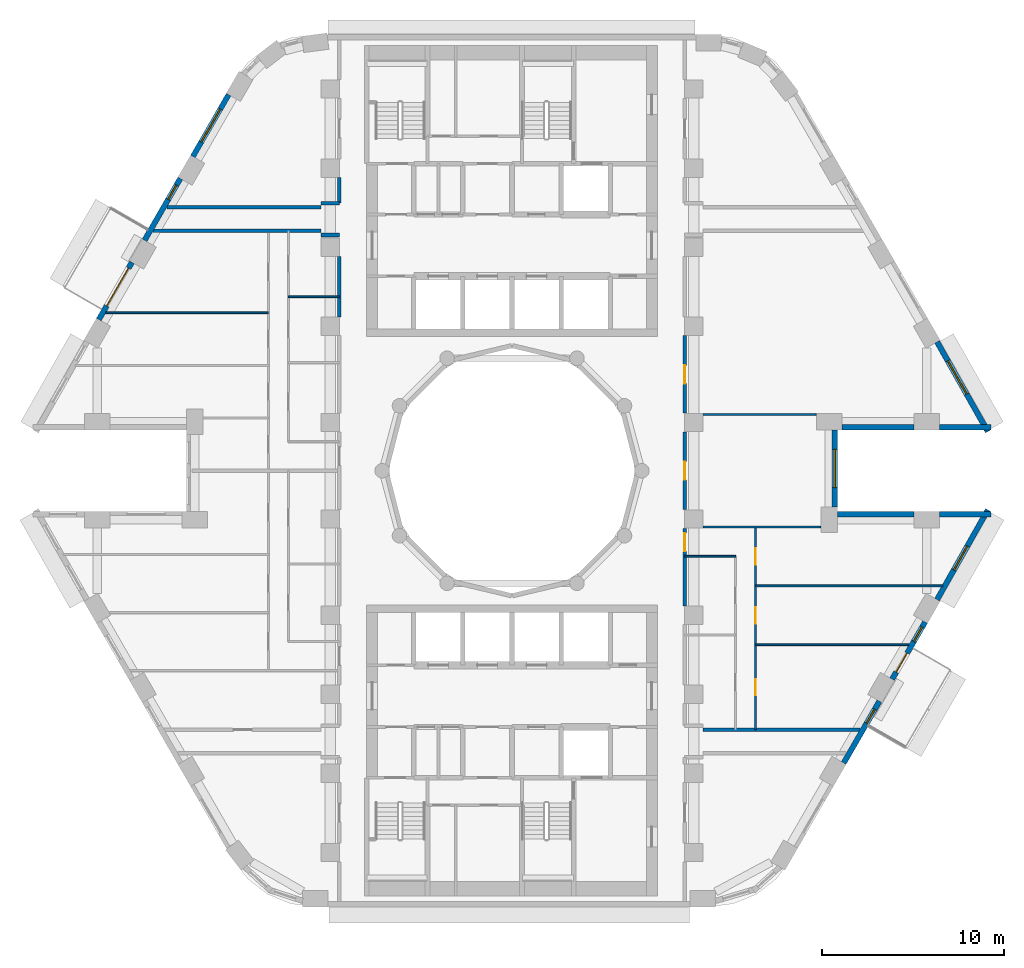
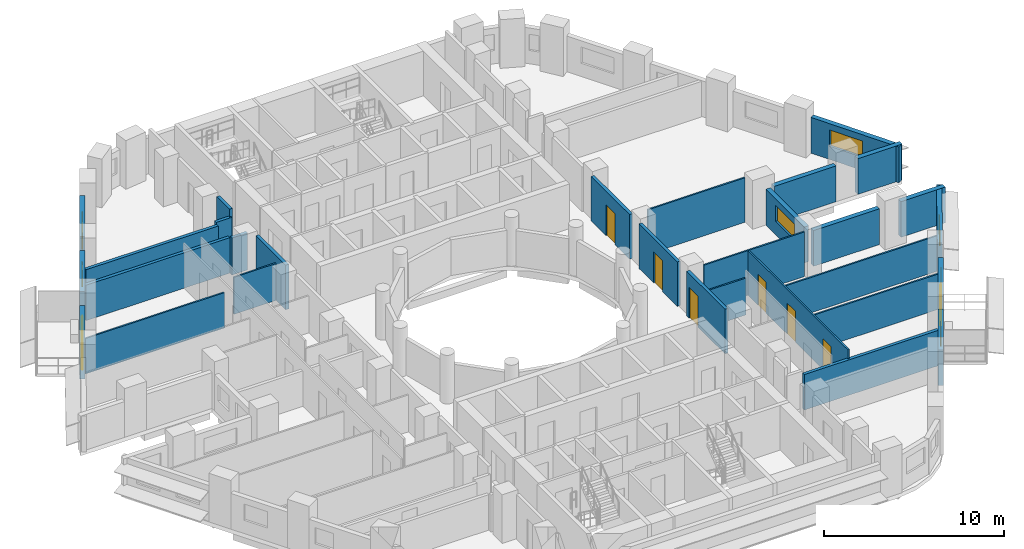
# One storey, part 6 of 14: 30 walls, 8 doors, 7 windows, 15 openings.
"""IFC4 building model written with IfcOpenShell, lengths in metres."""

from ifc_helpers import new_model, si_unit, direction, frame, frame_2d, origin, place, context, subcontext, project, spatial, rectangle, extrude, material, layer, layer_set, type_object, element, fill, save


model = new_model("IFC4")

# Units and contexts
model_context = context("Model", 3, precision=1e-05, world=origin(), true_north=direction((0.0, 1.0)))
body_context = subcontext(model_context, "Body", "Model", "MODEL_VIEW")
ifc_project = project(units=[si_unit("LENGTHUNIT", "METRE"), si_unit("AREAUNIT", "SQUARE_METRE"), si_unit("VOLUMEUNIT", "CUBIC_METRE"), si_unit("PLANEANGLEUNIT", "RADIAN"), si_unit("MASSUNIT", "GRAM", prefix="KILO")], contexts=[model_context])

# Site, building, storey
site_placement = place(None, origin())
site = spatial("IfcSite", under=ifc_project, at=site_placement, CompositionType="ELEMENT")
building_placement = place(site_placement, origin())
building = spatial("IfcBuilding", under=site, at=building_placement, Name="Nakaniwa Court", CompositionType="ELEMENT")
storey_placement = place(building_placement, frame((0.0, 0.0, 107.39990234375)))
storey = spatial("IfcBuildingStorey", under=building, at=storey_placement, Name="L28", CompositionType="ELEMENT", Elevation=107.39990234375)

# Wall, opening, door
ifc_material_1 = material(Name="Acoustic double stud partition")
ifc_layer_1 = layer(ifc_material_1, 0.199951171875)
ifc_layer_set_1 = layer_set([ifc_layer_1], Name="Acoustic double stud partition")
wall_type_1 = type_object("IfcWallType", Name="Acoustic double stud partition 200", PredefinedType="PARTITIONING", material=ifc_layer_set_1)
wall_1_placement = place(storey_placement, frame((89.5, 76.8330078125, 0.0), z_axis=(0.0, 0.0, 1.0), x_axis=(0.0, -1.0, 0.0)))
wall_1 = element("IfcWall", 1, at=wall_1_placement, inside=storey, type_object=wall_type_1, Name="Partition PW-074", PredefinedType="PARTITIONING", context=body_context, shape_type="SweptSolid", body=[
    extrude(rectangle(XDim=4.26611328125, YDim=0.199951171875, at=frame_2d((2.133056640625, 0.0))), origin(), (0.0, 0.0, 1.0), 3.025146484375),
])
opening_1_placement = place(wall_1_placement, frame((0.26806640625, 0.0, 0.0)))
opening_1 = element("IfcOpeningElement", 2, at=opening_1_placement, cuts=wall_1, Name="Opening D-01-01", PredefinedType="OPENING", context=body_context, shape_type="SweptSolid", body=[
    extrude(rectangle(XDim=1.0, YDim=2.10009765625, at=frame_2d((0.5, 1.050048828125))), frame((0.0, 0.10986328125, 0.0), z_axis=(0.0, -1.0, 0.0), x_axis=(1.0, 0.0, 0.0)), (0.0, 0.0, 1.0), 0.219970703125),
])
ifc_material_2 = material(Name="Solid core timber door set, black veneer", Category="wood")
door_type_1 = type_object("IfcDoorType", Name="Flat entrance door 1000", OperationType="NOTDEFINED", PredefinedType="DOOR", material=ifc_material_2)
door_1_placement = place(opening_1_placement, origin())
door_1 = element("IfcDoor", 3, at=door_1_placement, inside=storey, type_object=door_type_1, Name="Door D-01-01 L28-028", OperationType="SINGLE_SWING_LEFT", OverallHeight=2.10009765625, OverallWidth=1.0, PredefinedType="DOOR", context=body_context, shape_type="SweptSolid", body=[
    extrude(rectangle(XDim=1.0, YDim=2.10009765625, at=frame_2d((0.5, 1.050048828125))), frame((0.0, 0.02490234375, 0.0), z_axis=(0.0, -1.0, 0.0), x_axis=(1.0, 0.0, 0.0)), (0.0, 0.0, 1.0), 0.050048828125),
])
fill(opening_1, door_1)

wall_2_placement = place(storey_placement, frame((89.5, 82.133056640625, 0.0), z_axis=(0.0, 0.0, 1.0), x_axis=(0.0, -1.0, 0.0)))
wall_2 = element("IfcWall", 4, at=wall_2_placement, inside=storey, type_object=wall_type_1, Name="Partition PW-075", PredefinedType="PARTITIONING", context=body_context, shape_type="SweptSolid", body=[
    extrude(rectangle(XDim=4.26611328125, YDim=0.199951171875, at=frame_2d((2.133056640625, 0.0))), origin(), (0.0, 0.0, 1.0), 3.025146484375),
])
opening_2_placement = place(wall_2_placement, frame((1.633056640625, 0.0, 0.0)))
opening_2 = element("IfcOpeningElement", 5, at=opening_2_placement, cuts=wall_2, Name="Opening D-02-02", PredefinedType="OPENING", context=body_context, shape_type="SweptSolid", body=[
    extrude(rectangle(XDim=1.0, YDim=2.10009765625, at=frame_2d((0.5, 1.050048828125))), frame((0.0, 0.10986328125, 0.0), z_axis=(0.0, -1.0, 0.0), x_axis=(1.0, 0.0, 0.0)), (0.0, 0.0, 1.0), 0.219970703125),
])
door_type_2 = type_object("IfcDoorType", Name="Internal door 1000", OperationType="NOTDEFINED", PredefinedType="DOOR", material=ifc_material_2)
door_2_placement = place(opening_2_placement, origin())
door_2 = element("IfcDoor", 6, at=door_2_placement, inside=storey, type_object=door_type_2, Name="Door D-02-02 L28-034", OperationType="SINGLE_SWING_LEFT", OverallHeight=2.10009765625, OverallWidth=1.0, PredefinedType="DOOR", context=body_context, shape_type="SweptSolid", body=[
    extrude(rectangle(XDim=1.0, YDim=2.10009765625, at=frame_2d((0.5, 1.050048828125))), frame((0.0, 0.02490234375, 0.0), z_axis=(0.0, -1.0, 0.0), x_axis=(1.0, 0.0, 0.0)), (0.0, 0.0, 1.0), 0.050048828125),
])
fill(opening_2, door_2)

wall_3_placement = place(storey_placement, frame((89.5, 87.43310546875, 0.0), z_axis=(0.0, 0.0, 1.0), x_axis=(0.0, -1.0, 0.0)))
wall_3 = element("IfcWall", 7, at=wall_3_placement, inside=storey, type_object=wall_type_1, Name="Partition PW-076", PredefinedType="PARTITIONING", context=body_context, shape_type="SweptSolid", body=[
    extrude(rectangle(XDim=4.26611328125, YDim=0.199951171875, at=frame_2d((2.133056640625, 0.0))), origin(), (0.0, 0.0, 1.0), 3.025146484375),
])
opening_3_placement = place(wall_3_placement, frame((1.633056640625, 0.0, 0.0)))
opening_3 = element("IfcOpeningElement", 8, at=opening_3_placement, cuts=wall_3, Name="Opening D-02-03", PredefinedType="OPENING", context=body_context, shape_type="SweptSolid", body=[
    extrude(rectangle(XDim=1.0, YDim=2.10009765625, at=frame_2d((0.5, 1.050048828125))), frame((0.0, 0.10986328125, 0.0), z_axis=(0.0, -1.0, 0.0), x_axis=(1.0, 0.0, 0.0)), (0.0, 0.0, 1.0), 0.219970703125),
])
door_3_placement = place(opening_3_placement, origin())
door_3 = element("IfcDoor", 9, at=door_3_placement, inside=storey, type_object=door_type_2, Name="Door D-02-03 L28-035", OperationType="SINGLE_SWING_RIGHT", OverallHeight=2.10009765625, OverallWidth=1.0, PredefinedType="DOOR", context=body_context, shape_type="SweptSolid", body=[
    extrude(rectangle(XDim=1.0, YDim=2.10009765625, at=frame_2d((0.5, 1.050048828125))), frame((0.0, 0.02490234375, 0.0), z_axis=(0.0, -1.0, 0.0), x_axis=(1.0, 0.0, 0.0)), (0.0, 0.0, 1.0), 0.050048828125),
])
fill(opening_3, door_3)

# Walls
wall_4_placement = place(storey_placement, frame((60.254638671875, 93.199951171875, 0.0), z_axis=(0.0, 0.0, 1.0), x_axis=(1.0, 0.0, 0.0)))
element("IfcWall", 10, at=wall_4_placement, inside=storey, type_object=wall_type_1, Name="Partition PW-081", PredefinedType="PARTITIONING", context=body_context, shape_type="SweptSolid", body=[
    extrude(rectangle(XDim=9.245361328125, YDim=0.199951171875, at=frame_2d((4.62255859375, 0.0))), origin(), (0.0, 0.0, 1.0), 2.405029296875),
])
for number, where, z_axis, x_axis, name in (
    (11, (69.5, 92.97509765625, 0.0), (0.0, 0.0, 1.0), (1.0, 0.0, 0.0), "Partition PW-083"),
    (12, (69.5, 94.72509765625, 0.0), (0.0, 0.0, 1.0), (1.0, 0.0, 0.0), "Partition PW-085"),
):
    element("IfcWall", number, at=place(storey_placement, frame(where, z_axis=z_axis, x_axis=x_axis)), inside=storey, type_object=wall_type_1, Name=name, PredefinedType="PARTITIONING", context=body_context, shape_type="SweptSolid", body=[
        extrude(rectangle(XDim=1.0, YDim=0.199951171875, at=frame_2d((0.5, 0.0))), origin(), (0.0, 0.0, 1.0), 2.505126953125),
    ])
wall_5_placement = place(storey_placement, frame((61.005126953125, 94.5, 0.0), z_axis=(0.0, 0.0, 1.0), x_axis=(1.0, 0.0, 0.0)))
element("IfcWall", 13, at=wall_5_placement, inside=storey, type_object=wall_type_1, Name="Partition PW-087", PredefinedType="PARTITIONING", context=body_context, shape_type="SweptSolid", body=[
    extrude(rectangle(XDim=8.494873046875, YDim=0.199951171875, at=frame_2d((4.24755859375, 0.0))), origin(), (0.0, 0.0, 1.0), 2.405029296875),
])
wall_6_placement = place(storey_placement, frame((90.5, 65.75, 0.0), z_axis=(0.0, 0.0, 1.0), x_axis=(1.0, 0.0, 0.0)))
element("IfcWall", 14, at=wall_6_placement, inside=storey, type_object=wall_type_1, Name="Partition PW-096", PredefinedType="PARTITIONING", context=body_context, shape_type="SweptSolid", body=[
    extrude(rectangle(XDim=8.63916015625, YDim=0.199951171875, at=frame_2d((4.319580078125, 0.0))), origin(), (0.0, 0.0, 1.0), 2.405029296875),
])
wall_7_placement = place(storey_placement, frame((70.5, 88.467041015625, 0.0), z_axis=(0.0, 0.0, 1.0), x_axis=(0.0, 1.0, 0.0)))
element("IfcWall", 15, at=wall_7_placement, inside=storey, type_object=wall_type_1, Name="Partition PW-105", PredefinedType="PARTITIONING", context=body_context, shape_type="SweptSolid", body=[
    extrude(rectangle(XDim=3.31591796875, YDim=0.199951171875, at=frame_2d((1.657958984375, 0.0))), origin(), (0.0, 0.0, 1.0), 3.025146484375),
])
wall_8_placement = place(storey_placement, frame((70.5, 94.721923828125, 0.0), z_axis=(0.0, 0.0, 1.0), x_axis=(0.0, 1.0, 0.0)))
element("IfcWall", 16, at=wall_8_placement, inside=storey, type_object=wall_type_1, Name="Partition PW-106", PredefinedType="PARTITIONING", context=body_context, shape_type="SweptSolid", body=[
    extrude(rectangle(XDim=1.4111328125, YDim=0.199951171875, at=frame_2d((0.70556640625, 0.0))), origin(), (0.0, 0.0, 1.0), 3.025146484375),
])
ifc_material_3 = material(Name="Charcoal ceramic cladding")
ifc_layer_2 = layer(ifc_material_3, 0.02, Name="Ceramic cladding")
ifc_material_4 = material(Name="Ventilated air cavity")
ifc_layer_3 = layer(ifc_material_4, 0.04, ventilated=True, Name="Ventilated cavity")
ifc_material_5 = material(Name="Mineral wool insulation")
ifc_layer_4 = layer(ifc_material_5, 0.1, Name="Insulation")
ifc_material_6 = material(Name="Cement bonded sheathing board")
ifc_layer_5 = layer(ifc_material_6, 0.012, Name="Sheathing")
ifc_material_7 = material(Name="Cold-formed galvanised stud frame with mineral wool infill")
ifc_layer_6 = layer(ifc_material_7, 0.1, Name="Stud frame")
ifc_material_8 = material(Name="Fire-rated gypsum plasterboard lining")
ifc_layer_7 = layer(ifc_material_8, 0.028, Name="Lining")
ifc_layer_set_2 = layer_set([ifc_layer_2, ifc_layer_3, ifc_layer_4, ifc_layer_5, ifc_layer_6, ifc_layer_7], Name="Charcoal ceramic faced external wall system")
wall_type_2 = type_object("IfcWallType", Name="Black ceramic faced external wall 300", PredefinedType="SOLIDWALL", material=ifc_layer_set_2)
wall_9_placement = place(storey_placement, frame((98.154296875, 82.39990234375, 0.0), z_axis=(0.0, 0.0, 1.0), x_axis=(1.0, 0.0, 0.0)))
element("IfcWall", 17, at=wall_9_placement, inside=storey, type_object=wall_type_2, Name="L28 external wall 00", PredefinedType="SOLIDWALL", context=body_context, shape_type="SweptSolid", body=[
    extrude(rectangle(XDim=3.97265625, YDim=0.300048828125, at=frame_2d((1.986328125, 0.0))), origin(), (0.0, 0.0, 1.0), 2.425048828125),
])
wall_10_placement = place(storey_placement, frame((103.518798828125, 82.39990234375, 0.0), z_axis=(0.0, 0.0, 1.0), x_axis=(1.0, 0.0, 0.0)))
element("IfcWall", 18, at=wall_10_placement, inside=storey, type_object=wall_type_2, Name="L28 external wall 01", PredefinedType="SOLIDWALL", context=body_context, shape_type="SweptSolid", body=[
    extrude(rectangle(XDim=2.837890625, YDim=0.300048828125, at=frame_2d((1.4189453125, 0.0))), origin(), (0.0, 0.0, 1.0), 2.425048828125),
])

# Wall, opening, window
wall_11_placement = place(storey_placement, frame((106.18603515625, 82.1533203125, 0.0), z_axis=(0.0, 0.0, 1.0), x_axis=(-0.492456858874, 0.870336855561, 0.0)))
wall_11 = element("IfcWall", 19, at=wall_11_placement, inside=storey, type_object=wall_type_2, Name="L28 external wall 02", PredefinedType="SOLIDWALL", context=body_context, shape_type="SweptSolid", body=[
    extrude(rectangle(XDim=5.676513671875, YDim=0.300048828125, at=frame_2d((2.83837890625, 0.0))), origin(), (0.0, 0.0, 1.0), 2.425048828125),
])
opening_4_placement = place(wall_11_placement, frame((2.367431640625, 0.0, 0.89990234375)))
opening_4 = element("IfcOpeningElement", 20, at=opening_4_placement, cuts=wall_11, Name="Opening W7.01", PredefinedType="OPENING", context=body_context, shape_type="SweptSolid", body=[
    extrude(rectangle(XDim=2.10009765625, YDim=1.10009765625, at=frame_2d((1.050048828125, 0.550048828125))), frame((0.0, 0.159912109375, 0.0), z_axis=(0.0, -1.0, 0.0), x_axis=(1.0, 0.0, 0.0)), (0.0, 0.0, 1.0), 0.320068359375),
])
ifc_material_9 = material(Name="Black anodised aluminium frame with dark low-E laminated double glazing", Category="aluminium")
window_type_1 = type_object("IfcWindowType", Name="Dark glass window 2100x1100 sill 900", PartitioningType="SINGLE_PANEL", PredefinedType="WINDOW", material=ifc_material_9)
window_1_placement = place(opening_4_placement, origin())
window_1 = element("IfcWindow", 21, at=window_1_placement, inside=storey, type_object=window_type_1, Name="L28 habitable room window 02-0", OverallHeight=1.10009765625, OverallWidth=2.10009765625, PartitioningType="SINGLE_PANEL", PredefinedType="WINDOW", context=body_context, shape_type="SweptSolid", body=[
    extrude(rectangle(XDim=2.10009765625, YDim=1.10009765625, at=frame_2d((1.050048828125, 0.550048828125))), frame((0.0, 0.030029296875, 0.0), z_axis=(0.0, -1.0, 0.0), x_axis=(1.0, 0.0, 0.0)), (0.0, 0.0, 1.0), 0.06005859375),
])
fill(opening_4, window_1)

wall_12_placement = place(storey_placement, frame((64.40966796875, 100.69677734375, 0.0), z_axis=(0.0, 0.0, 1.0), x_axis=(-0.500003583557, -0.866023334807, 0.0)))
wall_12 = element("IfcWall", 22, at=wall_12_placement, inside=storey, type_object=wall_type_2, Name="L28 external wall 11", PredefinedType="SOLIDWALL", context=body_context, shape_type="SweptSolid", body=[
    extrude(rectangle(XDim=3.93408203125, YDim=0.300048828125, at=frame_2d((1.967041015625, 0.0))), origin(), (0.0, 0.0, 1.0), 2.425048828125),
])
opening_5_placement = place(wall_12_placement, frame((0.9169921875, 0.0, 0.89990234375)))
opening_5 = element("IfcOpeningElement", 23, at=opening_5_placement, cuts=wall_12, Name="Opening W7.09", PredefinedType="OPENING", context=body_context, shape_type="SweptSolid", body=[
    extrude(rectangle(XDim=2.10009765625, YDim=1.10009765625, at=frame_2d((1.050048828125, 0.550048828125))), frame((0.0, 0.159912109375, 0.0), z_axis=(0.0, -1.0, 0.0), x_axis=(1.0, 0.0, 0.0)), (0.0, 0.0, 1.0), 0.320068359375),
])
window_2_placement = place(opening_5_placement, origin())
window_2 = element("IfcWindow", 24, at=window_2_placement, inside=storey, type_object=window_type_1, Name="L28 habitable room window 11-0", OverallHeight=1.10009765625, OverallWidth=2.10009765625, PartitioningType="SINGLE_PANEL", PredefinedType="WINDOW", context=body_context, shape_type="SweptSolid", body=[
    extrude(rectangle(XDim=2.10009765625, YDim=1.10009765625, at=frame_2d((1.050048828125, 0.550048828125))), frame((0.0, 0.030029296875, 0.0), z_axis=(0.0, -1.0, 0.0), x_axis=(1.0, 0.0, 0.0)), (0.0, 0.0, 1.0), 0.06005859375),
])
fill(opening_5, window_2)

wall_13_placement = place(storey_placement, frame((61.74658203125, 96.08447265625, 0.0), z_axis=(0.0, 0.0, 1.0), x_axis=(-0.499957037901, -0.866050206543, 0.0)))
wall_13 = element("IfcWall", 25, at=wall_13_placement, inside=storey, type_object=wall_type_2, Name="L28 external wall 12", PredefinedType="SOLIDWALL", context=body_context, shape_type="SweptSolid", body=[
    extrude(rectangle(XDim=3.933837890625, YDim=0.300048828125, at=frame_2d((1.966796875, 0.0))), origin(), (0.0, 0.0, 1.0), 2.425048828125),
])
opening_6_placement = place(wall_13_placement, frame((0.427734375, 0.0, 0.89990234375)))
opening_6 = element("IfcOpeningElement", 26, at=opening_6_placement, cuts=wall_13, Name="Opening W9.10", PredefinedType="OPENING", context=body_context, shape_type="SweptSolid", body=[
    extrude(rectangle(XDim=0.89990234375, YDim=1.10009765625, at=frame_2d((0.449951171875, 0.550048828125))), frame((0.0, 0.159912109375, 0.0), z_axis=(0.0, -1.0, 0.0), x_axis=(1.0, 0.0, 0.0)), (0.0, 0.0, 1.0), 0.320068359375),
])
window_type_2 = type_object("IfcWindowType", Name="Dark glass window 900x1100 sill 900", PartitioningType="SINGLE_PANEL", PredefinedType="WINDOW", material=ifc_material_9)
window_3_placement = place(opening_6_placement, origin())
window_3 = element("IfcWindow", 27, at=window_3_placement, inside=storey, type_object=window_type_2, Name="L28 habitable room window 12-0", OverallHeight=1.10009765625, OverallWidth=0.89990234375, PartitioningType="SINGLE_PANEL", PredefinedType="WINDOW", context=body_context, shape_type="SweptSolid", body=[
    extrude(rectangle(XDim=0.89990234375, YDim=1.10009765625, at=frame_2d((0.449951171875, 0.550048828125))), frame((0.0, 0.030029296875, 0.0), z_axis=(0.0, -1.0, 0.0), x_axis=(1.0, 0.0, 0.0)), (0.0, 0.0, 1.0), 0.06005859375),
])
fill(opening_6, window_3)

# Wall, opening, door
wall_14_placement = place(storey_placement, frame((59.083740234375, 91.471923828125, 0.0), z_axis=(0.0, 0.0, 1.0), x_axis=(-0.500009139881, -0.866020126807, 0.0)))
wall_14 = element("IfcWall", 28, at=wall_14_placement, inside=storey, type_object=wall_type_2, Name="L28 external wall 13", PredefinedType="SOLIDWALL", context=body_context, shape_type="SweptSolid", body=[
    extrude(rectangle(XDim=3.63671875, YDim=0.300048828125, at=frame_2d((1.818359375, 0.0))), origin(), (0.0, 0.0, 1.0), 2.425048828125),
])
opening_7_placement = place(wall_14_placement, frame((0.36767578125, 0.0, 0.0)))
opening_7 = element("IfcOpeningElement", 29, at=opening_7_placement, cuts=wall_14, Name="Opening XD13.01", PredefinedType="OPENING", context=body_context, shape_type="SweptSolid", body=[
    extrude(rectangle(XDim=2.39990234375, YDim=2.0, at=frame_2d((1.199951171875, 1.0))), frame((0.0, 0.159912109375, 0.0), z_axis=(0.0, -1.0, 0.0), x_axis=(1.0, 0.0, 0.0)), (0.0, 0.0, 1.0), 0.320068359375),
])
ifc_material_10 = material(Name="Black powder-coated aluminium frame with dark laminated glass", Category="aluminium")
door_type_3 = type_object("IfcDoorType", Name="Balcony sliding door 2400x2000", OperationType="DOUBLE_DOOR_SLIDING", PredefinedType="DOOR", material=ifc_material_10)
door_4_placement = place(opening_7_placement, origin())
door_4 = element("IfcDoor", 30, at=door_4_placement, inside=storey, type_object=door_type_3, Name="L28 balcony sliding door 01", OperationType="DOUBLE_DOOR_SLIDING", OverallHeight=2.0, OverallWidth=2.39990234375, PredefinedType="DOOR", context=body_context, shape_type="SweptSolid", body=[
    extrude(rectangle(XDim=2.39990234375, YDim=2.0, at=frame_2d((1.199951171875, 1.0))), frame((0.0, 0.02490234375, 0.0), z_axis=(0.0, -1.0, 0.0), x_axis=(1.0, 0.0, 0.0)), (0.0, 0.0, 1.0), 0.050048828125),
])
fill(opening_7, door_4)

# Wall, opening, window
wall_15_placement = place(storey_placement, frame((98.25341796875, 63.91552734375, 0.0), z_axis=(0.0, 0.0, 1.0), x_axis=(0.499957037901, 0.866050206543, 0.0)))
wall_15 = element("IfcWall", 31, at=wall_15_placement, inside=storey, type_object=wall_type_2, Name="L28 external wall 30", PredefinedType="SOLIDWALL", context=body_context, shape_type="SweptSolid", body=[
    extrude(rectangle(XDim=3.933837890625, YDim=0.300048828125, at=frame_2d((1.966796875, 0.0))), origin(), (0.0, 0.0, 1.0), 2.425048828125),
])
opening_8_placement = place(wall_15_placement, frame((2.514892578125, 0.0, 0.89990234375)))
opening_8 = element("IfcOpeningElement", 32, at=opening_8_placement, cuts=wall_15, Name="Opening W9.27", PredefinedType="OPENING", context=body_context, shape_type="SweptSolid", body=[
    extrude(rectangle(XDim=0.89990234375, YDim=1.10009765625, at=frame_2d((0.449951171875, 0.550048828125))), frame((0.0, 0.159912109375, 0.0), z_axis=(0.0, -1.0, 0.0), x_axis=(1.0, 0.0, 0.0)), (0.0, 0.0, 1.0), 0.320068359375),
])
window_4_placement = place(opening_8_placement, origin())
window_4 = element("IfcWindow", 33, at=window_4_placement, inside=storey, type_object=window_type_2, Name="L28 living window 30-2", OverallHeight=1.10009765625, OverallWidth=0.89990234375, PartitioningType="SINGLE_PANEL", PredefinedType="WINDOW", context=body_context, shape_type="SweptSolid", body=[
    extrude(rectangle(XDim=0.89990234375, YDim=1.10009765625, at=frame_2d((0.449951171875, 0.550048828125))), frame((0.0, 0.030029296875, 0.0), z_axis=(0.0, -1.0, 0.0), x_axis=(1.0, 0.0, 0.0)), (0.0, 0.0, 1.0), 0.06005859375),
])
fill(opening_8, window_4)

# Wall, openings, door, window
wall_16_placement = place(storey_placement, frame((100.916259765625, 68.528076171875, 0.0), z_axis=(0.0, 0.0, 1.0), x_axis=(0.500009139881, 0.866020126807, 0.0)))
wall_16 = element("IfcWall", 34, at=wall_16_placement, inside=storey, type_object=wall_type_2, Name="L28 external wall 31", PredefinedType="SOLIDWALL", context=body_context, shape_type="SweptSolid", body=[
    extrude(rectangle(XDim=3.63671875, YDim=0.300048828125, at=frame_2d((1.818359375, 0.0))), origin(), (0.0, 0.0, 1.0), 2.425048828125),
])
opening_9_placement = place(wall_16_placement, frame((0.45849609375, 0.0, 0.0)))
opening_9 = element("IfcOpeningElement", 35, at=opening_9_placement, cuts=wall_16, Name="Opening XD10.02", PredefinedType="OPENING", context=body_context, shape_type="SweptSolid", body=[
    extrude(rectangle(XDim=1.199951171875, YDim=2.0, at=frame_2d((0.60009765625, 1.0))), frame((0.0, 0.159912109375, 0.0), z_axis=(0.0, -1.0, 0.0), x_axis=(1.0, 0.0, 0.0)), (0.0, 0.0, 1.0), 0.320068359375),
])
opening_10_placement = place(wall_16_placement, frame((2.403076171875, 0.0, 0.89990234375)))
opening_10 = element("IfcOpeningElement", 36, at=opening_10_placement, cuts=wall_16, Name="Opening W9.28", PredefinedType="OPENING", context=body_context, shape_type="SweptSolid", body=[
    extrude(rectangle(XDim=0.89990234375, YDim=1.10009765625, at=frame_2d((0.449951171875, 0.550048828125))), frame((0.0, 0.159912109375, 0.0), z_axis=(0.0, -1.0, 0.0), x_axis=(1.0, 0.0, 0.0)), (0.0, 0.0, 1.0), 0.320068359375),
])
door_type_4 = type_object("IfcDoorType", Name="Balcony sliding door 1200x2000", OperationType="SLIDING_TO_LEFT", PredefinedType="DOOR", material=ifc_material_10)
door_5_placement = place(opening_9_placement, origin())
door_5 = element("IfcDoor", 37, at=door_5_placement, inside=storey, type_object=door_type_4, Name="L28 balcony sliding door 02", OperationType="SLIDING_TO_LEFT", OverallHeight=2.0, OverallWidth=1.199951171875, PredefinedType="DOOR", context=body_context, shape_type="SweptSolid", body=[
    extrude(rectangle(XDim=1.199951171875, YDim=2.0, at=frame_2d((0.60009765625, 1.0))), frame((0.0, 0.02490234375, 0.0), z_axis=(0.0, -1.0, 0.0), x_axis=(1.0, 0.0, 0.0)), (0.0, 0.0, 1.0), 0.050048828125),
])
fill(opening_9, door_5)
window_5_placement = place(opening_10_placement, origin())
window_5 = element("IfcWindow", 38, at=window_5_placement, inside=storey, type_object=window_type_2, Name="L28 bedroom window 31-1", OverallHeight=1.10009765625, OverallWidth=0.89990234375, PartitioningType="SINGLE_PANEL", PredefinedType="WINDOW", context=body_context, shape_type="SweptSolid", body=[
    extrude(rectangle(XDim=0.89990234375, YDim=1.10009765625, at=frame_2d((0.449951171875, 0.550048828125))), frame((0.0, 0.030029296875, 0.0), z_axis=(0.0, -1.0, 0.0), x_axis=(1.0, 0.0, 0.0)), (0.0, 0.0, 1.0), 0.06005859375),
])
fill(opening_10, window_5)

# Wall, opening, window
wall_17_placement = place(storey_placement, frame((103.390625, 72.90625, 0.0), z_axis=(0.0, 0.0, 1.0), x_axis=(0.492456858874, 0.870336855561, 0.0)))
wall_17 = element("IfcWall", 39, at=wall_17_placement, inside=storey, type_object=wall_type_2, Name="L28 external wall 32", PredefinedType="SOLIDWALL", context=body_context, shape_type="SweptSolid", body=[
    extrude(rectangle(XDim=5.676513671875, YDim=0.300048828125, at=frame_2d((2.83837890625, 0.0))), origin(), (0.0, 0.0, 1.0), 2.425048828125),
])
opening_11_placement = place(wall_17_placement, frame((1.8828125, 0.0, 0.89990234375)))
opening_11 = element("IfcOpeningElement", 40, at=opening_11_placement, cuts=wall_17, Name="Opening W5.29", PredefinedType="OPENING", context=body_context, shape_type="SweptSolid", body=[
    extrude(rectangle(XDim=1.5, YDim=1.10009765625, at=frame_2d((0.75, 0.550048828125))), frame((0.0, 0.159912109375, 0.0), z_axis=(0.0, -1.0, 0.0), x_axis=(1.0, 0.0, 0.0)), (0.0, 0.0, 1.0), 0.320068359375),
])
window_type_3 = type_object("IfcWindowType", Name="Dark glass window 1500x1100 sill 900", PartitioningType="SINGLE_PANEL", PredefinedType="WINDOW", material=ifc_material_9)
window_6_placement = place(opening_11_placement, origin())
window_6 = element("IfcWindow", 41, at=window_6_placement, inside=storey, type_object=window_type_3, Name="L28 bedroom window 32-1", OverallHeight=1.10009765625, OverallWidth=1.5, PartitioningType="SINGLE_PANEL", PredefinedType="WINDOW", context=body_context, shape_type="SweptSolid", body=[
    extrude(rectangle(XDim=1.5, YDim=1.10009765625, at=frame_2d((0.75, 0.550048828125))), frame((0.0, 0.030029296875, 0.0), z_axis=(0.0, -1.0, 0.0), x_axis=(1.0, 0.0, 0.0)), (0.0, 0.0, 1.0), 0.06005859375),
])
fill(opening_11, window_6)

# Walls
wall_18_placement = place(storey_placement, frame((106.356689453125, 77.60009765625, 0.0), z_axis=(0.0, 0.0, 1.0), x_axis=(-1.0, 0.0, 0.0)))
element("IfcWall", 42, at=wall_18_placement, inside=storey, type_object=wall_type_2, Name="L28 external wall 33", PredefinedType="SOLIDWALL", context=body_context, shape_type="SweptSolid", body=[
    extrude(rectangle(XDim=2.837890625, YDim=0.300048828125, at=frame_2d((1.4189453125, 0.0))), origin(), (0.0, 0.0, 1.0), 2.425048828125),
])
wall_19_placement = place(storey_placement, frame((102.126953125, 77.60009765625, 0.0), z_axis=(0.0, 0.0, 1.0), x_axis=(-1.0, 0.0, 0.0)))
element("IfcWall", 43, at=wall_19_placement, inside=storey, type_object=wall_type_2, Name="L28 external wall 34", PredefinedType="SOLIDWALL", context=body_context, shape_type="SweptSolid", body=[
    extrude(rectangle(XDim=4.22265625, YDim=0.300048828125, at=frame_2d((2.111328125, 0.0))), origin(), (0.0, 0.0, 1.0), 2.425048828125),
])

# Wall, opening, window
wall_20_placement = place(storey_placement, frame((97.75830078125, 77.99609375, 0.0), z_axis=(0.0, 0.0, 1.0), x_axis=(0.0, 1.0, 0.0)))
wall_20 = element("IfcWall", 44, at=wall_20_placement, inside=storey, type_object=wall_type_2, Name="L28 external wall 35", PredefinedType="SOLIDWALL", context=body_context, shape_type="SweptSolid", body=[
    extrude(rectangle(XDim=4.2578125, YDim=0.300048828125, at=frame_2d((2.12890625, 0.0))), origin(), (0.0, 0.0, 1.0), 2.425048828125),
])
opening_12_placement = place(wall_20_placement, frame((1.0791015625, 0.0, 0.89990234375)))
opening_12 = element("IfcOpeningElement", 45, at=opening_12_placement, cuts=wall_20, Name="Opening W7.30", PredefinedType="OPENING", context=body_context, shape_type="SweptSolid", body=[
    extrude(rectangle(XDim=2.10009765625, YDim=1.10009765625, at=frame_2d((1.050048828125, 0.550048828125))), frame((0.0, 0.159912109375, 0.0), z_axis=(0.0, -1.0, 0.0), x_axis=(1.0, 0.0, 0.0)), (0.0, 0.0, 1.0), 0.320068359375),
])
window_7_placement = place(opening_12_placement, origin())
window_7 = element("IfcWindow", 46, at=window_7_placement, inside=storey, type_object=window_type_1, Name="L28 habitable room window 35-0", OverallHeight=1.10009765625, OverallWidth=2.10009765625, PartitioningType="SINGLE_PANEL", PredefinedType="WINDOW", context=body_context, shape_type="SweptSolid", body=[
    extrude(rectangle(XDim=2.10009765625, YDim=1.10009765625, at=frame_2d((1.050048828125, 0.550048828125))), frame((0.0, 0.030029296875, 0.0), z_axis=(0.0, -1.0, 0.0), x_axis=(1.0, 0.0, 0.0)), (0.0, 0.0, 1.0), 0.06005859375),
])
fill(opening_12, window_7)

# Wall
ifc_material_11 = material(Name="Single stud plasterboard partition")
ifc_layer_8 = layer(ifc_material_11, 0.10009765625)
ifc_layer_set_3 = layer_set([ifc_layer_8], Name="Single stud plasterboard partition")
wall_type_3 = type_object("IfcWallType", Name="Single stud plasterboard partition 100", PredefinedType="PARTITIONING", material=ifc_layer_set_3)
wall_21_placement = place(storey_placement, frame((89.5, 75.300048828125, 0.0), z_axis=(0.0, 0.0, 1.0), x_axis=(1.0, 0.0, 0.0)))
element("IfcWall", 47, at=wall_21_placement, inside=storey, type_object=wall_type_3, Name="Partition PW-111", PredefinedType="PARTITIONING", context=body_context, shape_type="SweptSolid", body=[
    extrude(rectangle(XDim=2.800048828125, YDim=0.10009765625, at=frame_2d((1.39990234375, 0.0))), origin(), (0.0, 0.0, 1.0), 2.505126953125),
])

# Wall, openings, doors
wall_22_placement = place(storey_placement, frame((93.39990234375, 76.89990234375, 0.0), z_axis=(0.0, 0.0, 1.0), x_axis=(0.0, -1.0, 0.0)))
wall_22 = element("IfcWall", 48, at=wall_22_placement, inside=storey, type_object=wall_type_3, Name="Partition PW-112", PredefinedType="PARTITIONING", context=body_context, shape_type="SweptSolid", body=[
    extrude(rectangle(XDim=11.14990234375, YDim=0.10009765625, at=frame_2d((5.574951171875, 0.0))), origin(), (0.0, 0.0, 1.0), 3.025146484375),
])
opening_13_placement = place(wall_22_placement, frame((8.362060546875, 0.0, 0.0)))
opening_13 = element("IfcOpeningElement", 49, at=opening_13_placement, cuts=wall_22, Name="Opening D-33-02", PredefinedType="OPENING", context=body_context, shape_type="SweptSolid", body=[
    extrude(rectangle(XDim=0.89990234375, YDim=2.10009765625, at=frame_2d((0.449951171875, 1.050048828125))), frame((0.0, 0.06005859375, 0.0), z_axis=(0.0, -1.0, 0.0), x_axis=(1.0, 0.0, 0.0)), (0.0, 0.0, 1.0), 0.1201171875),
])
opening_14_placement = place(wall_22_placement, frame((4.406005859375, 0.0, 0.0)))
opening_14 = element("IfcOpeningElement", 50, at=opening_14_placement, cuts=wall_22, Name="Opening D-33-03", PredefinedType="OPENING", context=body_context, shape_type="SweptSolid", body=[
    extrude(rectangle(XDim=0.89990234375, YDim=2.10009765625, at=frame_2d((0.449951171875, 1.050048828125))), frame((0.0, 0.06005859375, 0.0), z_axis=(0.0, -1.0, 0.0), x_axis=(1.0, 0.0, 0.0)), (0.0, 0.0, 1.0), 0.1201171875),
])
opening_15_placement = place(wall_22_placement, frame((1.1689453125, 0.0, 0.0)))
opening_15 = element("IfcOpeningElement", 51, at=opening_15_placement, cuts=wall_22, Name="Opening D-33-04", PredefinedType="OPENING", context=body_context, shape_type="SweptSolid", body=[
    extrude(rectangle(XDim=0.89990234375, YDim=2.10009765625, at=frame_2d((0.449951171875, 1.050048828125))), frame((0.0, 0.06005859375, 0.0), z_axis=(0.0, -1.0, 0.0), x_axis=(1.0, 0.0, 0.0)), (0.0, 0.0, 1.0), 0.1201171875),
])
door_type_5 = type_object("IfcDoorType", Name="Internal door 900", OperationType="NOTDEFINED", PredefinedType="DOOR", material=ifc_material_2)
door_6_placement = place(opening_13_placement, origin())
door_6 = element("IfcDoor", 52, at=door_6_placement, inside=storey, type_object=door_type_5, Name="Door D-33-02 L28-031", OperationType="SINGLE_SWING_RIGHT", OverallHeight=2.10009765625, OverallWidth=0.89990234375, PredefinedType="DOOR", context=body_context, shape_type="SweptSolid", body=[
    extrude(rectangle(XDim=0.89990234375, YDim=2.10009765625, at=frame_2d((0.449951171875, 1.050048828125))), frame((0.0, 0.02490234375, 0.0), z_axis=(0.0, -1.0, 0.0), x_axis=(1.0, 0.0, 0.0)), (0.0, 0.0, 1.0), 0.050048828125),
])
fill(opening_13, door_6)
door_7_placement = place(opening_14_placement, origin())
door_7 = element("IfcDoor", 53, at=door_7_placement, inside=storey, type_object=door_type_5, Name="Door D-33-03 L28-032", OperationType="SINGLE_SWING_LEFT", OverallHeight=2.10009765625, OverallWidth=0.89990234375, PredefinedType="DOOR", context=body_context, shape_type="SweptSolid", body=[
    extrude(rectangle(XDim=0.89990234375, YDim=2.10009765625, at=frame_2d((0.449951171875, 1.050048828125))), frame((0.0, 0.02490234375, 0.0), z_axis=(0.0, -1.0, 0.0), x_axis=(1.0, 0.0, 0.0)), (0.0, 0.0, 1.0), 0.050048828125),
])
fill(opening_14, door_7)
door_8_placement = place(opening_15_placement, origin())
door_8 = element("IfcDoor", 54, at=door_8_placement, inside=storey, type_object=door_type_5, Name="Door D-33-04 L28-033", OperationType="SINGLE_SWING_RIGHT", OverallHeight=2.10009765625, OverallWidth=0.89990234375, PredefinedType="DOOR", context=body_context, shape_type="SweptSolid", body=[
    extrude(rectangle(XDim=0.89990234375, YDim=2.10009765625, at=frame_2d((0.449951171875, 1.050048828125))), frame((0.0, 0.02490234375, 0.0), z_axis=(0.0, -1.0, 0.0), x_axis=(1.0, 0.0, 0.0)), (0.0, 0.0, 1.0), 0.050048828125),
])
fill(opening_15, door_8)

# Walls
wall_23_placement = place(storey_placement, frame((90.52001953125, 76.89990234375, 0.0), z_axis=(0.0, 0.0, 1.0), x_axis=(1.0, 0.0, 0.0)))
element("IfcWall", 55, at=wall_23_placement, inside=storey, type_object=wall_type_3, Name="Partition PW-113", PredefinedType="PARTITIONING", context=body_context, shape_type="SweptSolid", body=[
    extrude(rectangle(XDim=6.46826171875, YDim=0.10009765625, at=frame_2d((3.234130859375, 0.0))), origin(), (0.0, 0.0, 1.0), 3.025146484375),
])
wall_24_placement = place(storey_placement, frame((93.39990234375, 70.426025390625, 0.0), z_axis=(0.0, 0.0, 1.0), x_axis=(1.0, 0.0, 0.0)))
element("IfcWall", 56, at=wall_24_placement, inside=storey, type_object=wall_type_3, Name="Partition PW-114", PredefinedType="PARTITIONING", context=body_context, shape_type="SweptSolid", body=[
    extrude(rectangle(XDim=8.438720703125, YDim=0.10009765625, at=frame_2d((4.21923828125, 0.0))), origin(), (0.0, 0.0, 1.0), 2.405029296875),
])
wall_25_placement = place(storey_placement, frame((93.39990234375, 73.6630859375, 0.0), z_axis=(0.0, 0.0, 1.0), x_axis=(1.0, 0.0, 0.0)))
element("IfcWall", 57, at=wall_25_placement, inside=storey, type_object=wall_type_3, Name="Partition PW-115", PredefinedType="PARTITIONING", context=body_context, shape_type="SweptSolid", body=[
    extrude(rectangle(XDim=10.3076171875, YDim=0.10009765625, at=frame_2d((5.15380859375, 0.0))), origin(), (0.0, 0.0, 1.0), 2.405029296875),
])
wall_26_placement = place(storey_placement, frame((90.52001953125, 83.10009765625, 0.0), z_axis=(0.0, 0.0, 1.0), x_axis=(1.0, 0.0, 0.0)))
element("IfcWall", 58, at=wall_26_placement, inside=storey, type_object=wall_type_3, Name="Partition PW-116", PredefinedType="PARTITIONING", context=body_context, shape_type="SweptSolid", body=[
    extrude(rectangle(XDim=6.21826171875, YDim=0.10009765625, at=frame_2d((3.109130859375, 0.0))), origin(), (0.0, 0.0, 1.0), 3.025146484375),
])
wall_27_placement = place(storey_placement, frame((67.699951171875, 89.574951171875, 0.0), z_axis=(0.0, 0.0, 1.0), x_axis=(1.0, 0.0, 0.0)))
element("IfcWall", 59, at=wall_27_placement, inside=storey, type_object=wall_type_3, Name="Partition PW-128", PredefinedType="PARTITIONING", context=body_context, shape_type="SweptSolid", body=[
    extrude(rectangle(XDim=2.800048828125, YDim=0.10009765625, at=frame_2d((1.39990234375, 0.0))), origin(), (0.0, 0.0, 1.0), 2.505126953125),
])
wall_28_placement = place(storey_placement, frame((57.65234375, 88.693115234375, 0.0), z_axis=(0.0, 0.0, 1.0), x_axis=(1.0, 0.0, 0.0)))
element("IfcWall", 60, at=wall_28_placement, inside=storey, type_object=wall_type_3, Name="Partition PW-131", PredefinedType="PARTITIONING", context=body_context, shape_type="SweptSolid", body=[
    extrude(rectangle(XDim=8.94775390625, YDim=0.10009765625, at=frame_2d((4.473876953125, 0.0))), origin(), (0.0, 0.0, 1.0), 2.405029296875),
])

save(model, "model.ifc")
